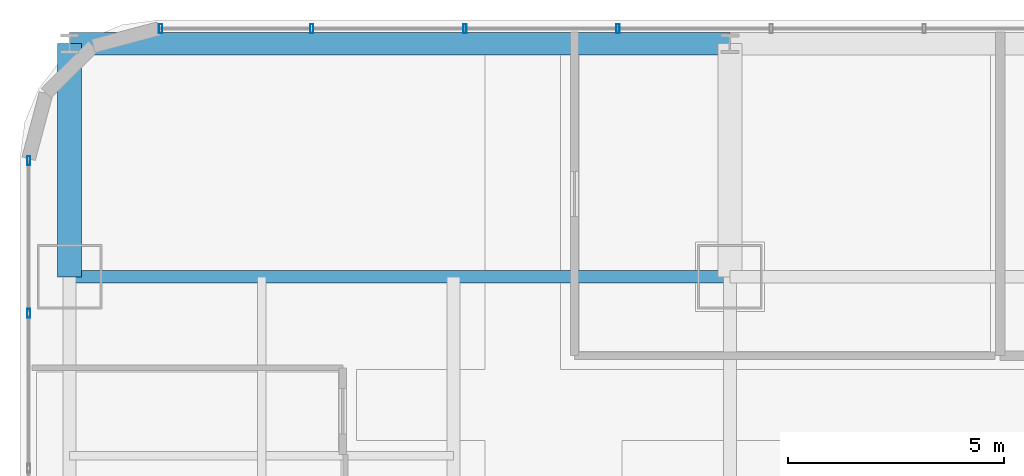
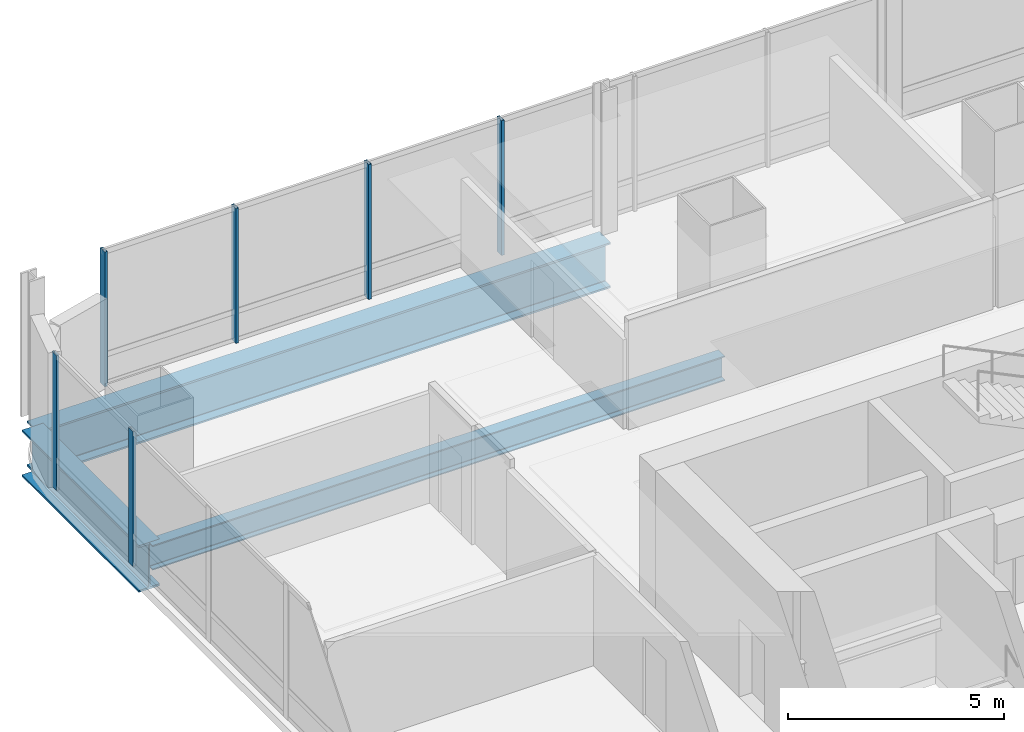
# One storey, part 20 of 34: 6 members, 3 beams, 2 elements without a shape of their own.
"""IFC4 building model written with IfcOpenShell, lengths in metres."""

import ifcopenshell
import ifcopenshell.guid

model = None  # the IFC model being written
_history = None  # IfcOwnerHistory: only IFC2X3 demands one
_inside = {}  # id of a spatial element -> (the spatial element, [elements in it])
_under = {}  # id of a project, library or spatial element -> (it, [spatial elements below it])
_declared = {}  # id of a project -> (the project, [libraries it declares])
_typed = {}  # id of a type object -> (the type object, [elements of that type])
_made_of = {}  # id of a material, layer set ... -> (it, [elements and type objects made of it])


def new_model(schema):
    """Start an empty IFC model of exactly this schema.

    Asked for "IFC4X3", IfcOpenShell would pick the latest addendum, in which some entities
    have other attributes; the version numbers below select the first issue.
    IFC2X3 requires an IfcOwnerHistory on every rooted entity: one is made here for all.
    """
    global model, _history
    if schema == "IFC4X3":
        model = ifcopenshell.file(schema_version=(4, 3, 0, 0))
    else:
        model = ifcopenshell.file(schema=schema)
    _inside.clear()
    _under.clear()
    _declared.clear()
    _typed.clear()
    _made_of.clear()
    _history = None
    if model.schema == "IFC2X3":
        org = make("IfcOrganization", Name="unknown")
        user = make(
            "IfcPersonAndOrganization",
            ThePerson=make("IfcPerson", FamilyName="unknown"),
            TheOrganization=org,
        )
        app = make(
            "IfcApplication",
            ApplicationDeveloper=org,
            Version="unknown",
            ApplicationFullName="unknown",
            ApplicationIdentifier="unknown",
        )
        _history = make(
            "IfcOwnerHistory",
            OwningUser=user,
            OwningApplication=app,
            ChangeAction="ADDED",
            CreationDate=0,
        )
    return model


def make(cls, **values):
    """One entity of the class cls with the attributes given. An attribute that is None is left unset."""
    return model.create_entity(
        cls, **{name: value for name, value in values.items() if value is not None}
    )


def rooted(cls, **values):
    """An entity with a GlobalId (a new one), such as an element, a storey or a relation."""
    return make(cls, GlobalId=ifcopenshell.guid.new(), OwnerHistory=_history, **values)


def si_unit(unit_type, name, prefix=None):
    """IfcSIUnit, for example si_unit("LENGTHUNIT", "METRE", prefix="MILLI")."""
    return make("IfcSIUnit", UnitType=unit_type, Prefix=prefix, Name=name)


def assignment(units):
    """IfcUnitAssignment: the units of a project."""
    return None if units is None else make("IfcUnitAssignment", Units=units)


def point(xyz):
    """IfcCartesianPoint."""
    return None if xyz is None else make("IfcCartesianPoint", Coordinates=xyz)


def direction(xyz):
    """IfcDirection."""
    return None if xyz is None else make("IfcDirection", DirectionRatios=xyz)


def frame(location, z_axis=None, x_axis=None):
    """IfcAxis2Placement3D, a coordinate frame: its origin and axes. An axis left out is left unset."""
    return make(
        "IfcAxis2Placement3D",
        Location=point(location),
        Axis=direction(z_axis),
        RefDirection=direction(x_axis),
    )


def frame_2d(location, x_axis=None):
    """IfcAxis2Placement2D, a coordinate frame in the plane: its origin and x axis."""
    return make(
        "IfcAxis2Placement2D", Location=point(location), RefDirection=direction(x_axis)
    )


def origin():
    """The frame at (0, 0, 0) with its axes left unset."""
    return frame((0.0, 0.0, 0.0))


def origin_2d():
    """The frame at (0, 0) in the plane with its x axis left unset."""
    return frame_2d((0.0, 0.0))


def place(relative_to, where):
    """IfcLocalPlacement: puts the frame where relative to a parent placement (None: the world)."""
    return make(
        "IfcLocalPlacement", PlacementRelTo=relative_to, RelativePlacement=where
    )


def context(
    kind, dimensions, precision=None, world=None, true_north=None, identifier=None
):
    """IfcGeometricRepresentationContext, for example the 3D "Model" context."""
    return make(
        "IfcGeometricRepresentationContext",
        ContextIdentifier=identifier,
        ContextType=kind,
        CoordinateSpaceDimension=dimensions,
        Precision=precision,
        WorldCoordinateSystem=world,
        TrueNorth=true_north,
    )


def subcontext(parent, identifier, kind, view, scale=None):
    """IfcGeometricRepresentationSubContext, for example "Body" below "Model"."""
    return make(
        "IfcGeometricRepresentationSubContext",
        ContextIdentifier=identifier,
        ContextType=kind,
        ParentContext=parent,
        TargetScale=scale,
        TargetView=view,
    )


def project(units=None, contexts=None):
    """IfcProject with its units and contexts."""
    return rooted(
        "IfcProject",
        Name="project",
        RepresentationContexts=contexts,
        UnitsInContext=assignment(units),
    )


def spatial(cls, under=None, at=None, **own):
    """A site, building, storey or space (cls), placed at a placement, below another one or the project."""
    s = rooted(cls, ObjectPlacement=at, **own)
    if under is not None:
        _under.setdefault(under.id(), (under, []))[1].append(s)
    return s


def profile(cls, at=None, kind="AREA", **sizes):
    """A parametric profile (cls). Its sizes go by their IFC names, for example OverallWidth=200.0."""
    return make(cls, ProfileType=kind, Position=at, **sizes)


def hollow_rectangle(**sizes):
    """IfcRectangleHollowProfileDef."""
    return profile("IfcRectangleHollowProfileDef", **sizes)


def i_section(**sizes):
    """IfcIShapeProfileDef."""
    return profile("IfcIShapeProfileDef", **sizes)


def extrude(swept, where, along, depth):
    """IfcExtrudedAreaSolid: the profile swept, set in the frame where, extruded along a direction by depth."""
    return make(
        "IfcExtrudedAreaSolid",
        SweptArea=swept,
        Position=where,
        ExtrudedDirection=direction(along),
        Depth=depth,
    )


def shape(context_of_items, identifier, shape_type, items):
    """IfcShapeRepresentation: the items that make up one representation, for example the "Body"."""
    return make(
        "IfcShapeRepresentation",
        ContextOfItems=context_of_items,
        RepresentationIdentifier=identifier,
        RepresentationType=shape_type,
        Items=items,
    )


def material(Name=None, Category=None):
    """IfcMaterial."""
    return make("IfcMaterial", Name=Name, Category=Category)


def material_profile(
    of_material, cross_section, Name=None, Category=None, Priority=None
):
    """IfcMaterialProfile: a cross section and its material."""
    return make(
        "IfcMaterialProfile",
        Name=Name,
        Material=of_material,
        Profile=cross_section,
        Priority=Priority,
        Category=Category,
    )


def profile_set(profiles, Name=None, composite=None):
    """IfcMaterialProfileSet."""
    return make(
        "IfcMaterialProfileSet",
        Name=Name,
        MaterialProfiles=profiles,
        CompositeProfile=composite,
    )


def made_of(thing, what):
    """Note that an element or type object is made of a material, layer set ...; save() writes the relation."""
    if what is not None:
        _made_of.setdefault(what.id(), (what, []))[1].append(thing)
    return thing


def type_object(cls, material=None, **own):
    """A type object (cls), such as IfcWallType, which elements share."""
    return made_of(rooted(cls, **own), material)


def element(
    cls,
    number,
    at=None,
    inside=None,
    cuts=None,
    type_object=None,
    material=None,
    context=None,
    identifier="Body",
    shape_type=None,
    held_by="IfcProductDefinitionShape",
    body=None,
    shapes=None,
    **own,
):
    """One element of the class cls, such as IfcWall. Its Tag is "e" and its number.

    at: its placement. inside: the storey or other place that contains it. cuts: it is an
    opening in that element (IfcRelVoidsElement). A single representation is given by context,
    identifier, shape_type and body (its items); several are given by shapes. held_by: the class
    of the entity that holds the representations. save() writes the other relations.
    """
    e = rooted(cls, Tag="e%d" % number, ObjectPlacement=at, **own)
    if body is not None:
        shapes = [shape(context, identifier, shape_type, body)]
    if shapes is not None:
        e.Representation = make(held_by, Representations=shapes)
    if inside is not None:
        _inside.setdefault(inside.id(), (inside, []))[1].append(e)
    if cuts is not None:
        rooted(
            "IfcRelVoidsElement", RelatingBuildingElement=cuts, RelatedOpeningElement=e
        )
    if type_object is not None:
        _typed.setdefault(type_object.id(), (type_object, []))[1].append(e)
    return made_of(e, material)


def aggregate(whole, parts):
    """IfcRelAggregates: a whole, such as a stair, and the parts it consists of."""
    return rooted("IfcRelAggregates", RelatingObject=whole, RelatedObjects=parts)


def save(model, path):
    """Write the relations noted so far, then the file.

    IfcRelAggregates (storeys below a building ...), IfcRelContainedInSpatialStructure (elements
    in a storey), IfcRelDefinesByType, IfcRelAssociatesMaterial and IfcRelDeclares: one each for
    every whole, place, type object, material and project.
    """
    for whole, parts in _under.values():
        aggregate(whole, parts)
    for where, things in _inside.values():
        rooted(
            "IfcRelContainedInSpatialStructure",
            RelatedElements=things,
            RelatingStructure=where,
        )
    for kind, things in _typed.values():
        rooted("IfcRelDefinesByType", RelatedObjects=things, RelatingType=kind)
    for what, things in _made_of.values():
        rooted("IfcRelAssociatesMaterial", RelatedObjects=things, RelatingMaterial=what)
    for by, libraries in _declared.values():
        rooted("IfcRelDeclares", RelatingContext=by, RelatedDefinitions=libraries)
    model.write(path)


model = new_model("IFC4")

# Units and contexts
model_context = context("Model", 3, precision=1e-05, world=origin(), true_north=direction((0.0, 1.0)))
body_context = subcontext(model_context, "Body", "Model", "MODEL_VIEW")
ifc_project = project(units=[si_unit("LENGTHUNIT", "METRE"), si_unit("AREAUNIT", "SQUARE_METRE"), si_unit("VOLUMEUNIT", "CUBIC_METRE"), si_unit("PLANEANGLEUNIT", "RADIAN"), si_unit("MASSUNIT", "GRAM", prefix="KILO")], contexts=[model_context])

# Site, building, storey
site_placement = place(None, origin())
site = spatial("IfcSite", under=ifc_project, at=site_placement, CompositionType="ELEMENT")
building_placement = place(site_placement, origin())
building = spatial("IfcBuilding", under=site, at=building_placement, Name="Punatoya Terracotta Tower", CompositionType="ELEMENT")
storey_placement = place(building_placement, frame((0.0, 0.0, 117.300048828125)))
storey = spatial("IfcBuildingStorey", under=building, at=storey_placement, Name="L27", CompositionType="ELEMENT", Elevation=117.300048828125)

# Beams
ifc_material_1 = material(Name="Steel S355", Category="steel")
ifc_material_profile_1 = material_profile(ifc_material_1, i_section(OverallWidth=0.300048828125, OverallDepth=0.699951171875, WebThickness=0.01708984375, FlangeThickness=0.031982421875, FilletRadius=0.01806640625, at=origin_2d()))
ifc_profile_set_1 = profile_set([ifc_material_profile_1], Name="Steel S355")
beam_type_1 = type_object("IfcBeamType", Name="BM-PRI-700", PredefinedType="BEAM", material=ifc_profile_set_1)
beam_1_placement = place(storey_placement, frame((-19.10009765625, 17.5, -0.590087890625), z_axis=(1.0, 0.0, 0.0), x_axis=(0.0, 1.0, 0.0)))
element("IfcBeam", 1, at=beam_1_placement, inside=storey, type_object=beam_type_1, Name="BM-L27-RG-N1", PredefinedType="BEAM", context=body_context, shape_type="SweptSolid", body=[
    extrude(i_section(OverallWidth=0.300048828125, OverallDepth=0.699951171875, WebThickness=0.01708984375, FlangeThickness=0.031982421875, FilletRadius=0.01806640625, at=origin_2d()), origin(), (0.0, 0.0, 1.0), 15.300048828125),
])
ifc_material_2 = material(Name="Steel S460", Category="steel")
ifc_material_profile_2 = material_profile(ifc_material_2, i_section(OverallWidth=0.56005859375, OverallDepth=1.320068359375, WebThickness=0.035888671875, FlangeThickness=0.054931640625, FilletRadius=0.01806640625, at=origin_2d()))
ifc_profile_set_2 = profile_set([ifc_material_profile_2], Name="Steel S460")
beam_type_2 = type_object("IfcBeamType", Name="BM-TG-BLK", PredefinedType="BEAM", material=ifc_profile_set_2)
beam_2_placement = place(storey_placement, frame((-19.10009765625, 17.5, -0.900146484375), z_axis=(0.0, 1.0, 0.0), x_axis=(-1.0, 0.0, 0.0)))
element("IfcBeam", 2, at=beam_2_placement, inside=storey, type_object=beam_type_2, Name="BM-L27-CANT-N1", PredefinedType="BEAM", context=body_context, shape_type="SweptSolid", body=[
    extrude(i_section(OverallWidth=0.56005859375, OverallDepth=1.320068359375, WebThickness=0.035888671875, FlangeThickness=0.054931640625, FilletRadius=0.01806640625, at=origin_2d()), origin(), (0.0, 0.0, 1.0), 5.39990234375),
])
ifc_material_profile_3 = material_profile(ifc_material_2, i_section(OverallWidth=0.52001953125, OverallDepth=1.280029296875, WebThickness=0.031982421875, FlangeThickness=0.050048828125, FilletRadius=0.01806640625, at=origin_2d()))
ifc_profile_set_3 = profile_set([ifc_material_profile_3], Name="Steel S460")
beam_type_3 = type_object("IfcBeamType", Name="BM-TG-NCK", PredefinedType="BEAM", material=ifc_profile_set_3)
beam_3_placement = place(storey_placement, frame((-19.10009765625, 22.89990234375, -0.880126953125), z_axis=(1.0, 0.0, 0.0), x_axis=(0.0, 1.0, 0.0)))
element("IfcBeam", 3, at=beam_3_placement, inside=storey, type_object=beam_type_3, Name="BM-L27-PER-N1", PredefinedType="BEAM", context=body_context, shape_type="SweptSolid", body=[
    extrude(i_section(OverallWidth=0.52001953125, OverallDepth=1.280029296875, WebThickness=0.031982421875, FlangeThickness=0.050048828125, FilletRadius=0.01806640625, at=origin_2d()), origin(), (0.0, 0.0, 1.0), 15.300048828125),
])

# Curtain wall, members
ifc_material_3 = material(Name="Aluminium 6063-T6 + Double Low-E Glass", Category="aluminium")
curtain_wall_type = type_object("IfcCurtainWallType", Name="CW-M1", PredefinedType="NOTDEFINED", material=ifc_material_3)
curtain_wall_1_placement = place(storey_placement, origin())
curtain_wall_1 = element("IfcCurtainWall", 4, at=curtain_wall_1_placement, inside=storey, type_object=curtain_wall_type, Name="L27 Curtain Wall CW-L27-N08-1", PredefinedType="NOTDEFINED")
ifc_material_4 = material(Name="Aluminium 6063-T6", Category="aluminium")
ifc_material_profile_4 = material_profile(ifc_material_4, hollow_rectangle(XDim=0.074951171875, YDim=0.2099609375, WallThickness=0.00439453125, at=origin_2d()))
ifc_profile_set_4 = profile_set([ifc_material_profile_4], Name="Aluminium 6063-T6")
member_type = type_object("IfcMemberType", Name="CW-MUL-M1", PredefinedType="MULLION", material=ifc_profile_set_4)
member_1_placement = place(storey_placement, frame((-6.390869140625, 23.25, 0.0), z_axis=(0.0, 0.0, 1.0), x_axis=(1.0, 0.0, 0.0)))
member_1 = element("IfcMember", 5, at=member_1_placement, type_object=member_type, Name="CW-L27-N08-1 Mullion 07", PredefinedType="MULLION", context=body_context, shape_type="SweptSolid", body=[
    extrude(hollow_rectangle(XDim=0.074951171875, YDim=0.2099609375, WallThickness=0.00439453125, at=origin_2d()), origin(), (0.0, 0.0, 1.0), 3.81005859375),
])
member_2_placement = place(storey_placement, frame((-9.939453125, 23.25, 0.0), z_axis=(0.0, 0.0, 1.0), x_axis=(1.0, 0.0, 0.0)))
member_2 = element("IfcMember", 6, at=member_2_placement, type_object=member_type, Name="CW-L27-N08-1 Mullion 08", PredefinedType="MULLION", context=body_context, shape_type="SweptSolid", body=[
    extrude(hollow_rectangle(XDim=0.074951171875, YDim=0.2099609375, WallThickness=0.00439453125, at=origin_2d()), origin(), (0.0, 0.0, 1.0), 3.81005859375),
])
member_3_placement = place(storey_placement, frame((-13.48828125, 23.25, 0.0), z_axis=(0.0, 0.0, 1.0), x_axis=(1.0, 0.0, 0.0)))
member_3 = element("IfcMember", 7, at=member_3_placement, type_object=member_type, Name="CW-L27-N08-1 Mullion 09", PredefinedType="MULLION", context=body_context, shape_type="SweptSolid", body=[
    extrude(hollow_rectangle(XDim=0.074951171875, YDim=0.2099609375, WallThickness=0.00439453125, at=origin_2d()), origin(), (0.0, 0.0, 1.0), 3.81005859375),
])
member_4_placement = place(storey_placement, frame((-16.991943359375, 23.25, 0.0), z_axis=(0.0, 0.0, 1.0), x_axis=(1.0, 0.0, 0.0)))
member_4 = element("IfcMember", 8, at=member_4_placement, type_object=member_type, Name="CW-L27-N08-1 Mullion 10", PredefinedType="MULLION", context=body_context, shape_type="SweptSolid", body=[
    extrude(hollow_rectangle(XDim=0.074951171875, YDim=0.2099609375, WallThickness=0.00439453125, at=origin_2d()), origin(), (0.0, 0.0, 1.0), 3.81005859375),
])
aggregate(curtain_wall_1, [member_1, member_2, member_3, member_4])

curtain_wall_2_placement = place(storey_placement, origin())
curtain_wall_2 = element("IfcCurtainWall", 9, at=curtain_wall_2_placement, inside=storey, type_object=curtain_wall_type, Name="L27 Curtain Wall CW-L27-W12-1", PredefinedType="NOTDEFINED")
member_5_placement = place(storey_placement, frame((-20.050048828125, 20.19189453125, 0.0), z_axis=(0.0, 0.0, 1.0), x_axis=(1.0, 0.0, 0.0)))
member_5 = element("IfcMember", 10, at=member_5_placement, type_object=member_type, Name="CW-L27-W12-1 Mullion 00", PredefinedType="MULLION", context=body_context, shape_type="SweptSolid", body=[
    extrude(hollow_rectangle(XDim=0.074951171875, YDim=0.2099609375, WallThickness=0.00439453125, at=origin_2d()), origin(), (0.0, 0.0, 1.0), 3.81005859375),
])
member_6_placement = place(storey_placement, frame((-20.050048828125, 16.6494140625, 0.0), z_axis=(0.0, 0.0, 1.0), x_axis=(1.0, 0.0, 0.0)))
member_6 = element("IfcMember", 11, at=member_6_placement, type_object=member_type, Name="CW-L27-W12-1 Mullion 01", PredefinedType="MULLION", context=body_context, shape_type="SweptSolid", body=[
    extrude(hollow_rectangle(XDim=0.074951171875, YDim=0.2099609375, WallThickness=0.00439453125, at=origin_2d()), origin(), (0.0, 0.0, 1.0), 3.81005859375),
])
aggregate(curtain_wall_2, [member_5, member_6])

save(model, "model.ifc")
